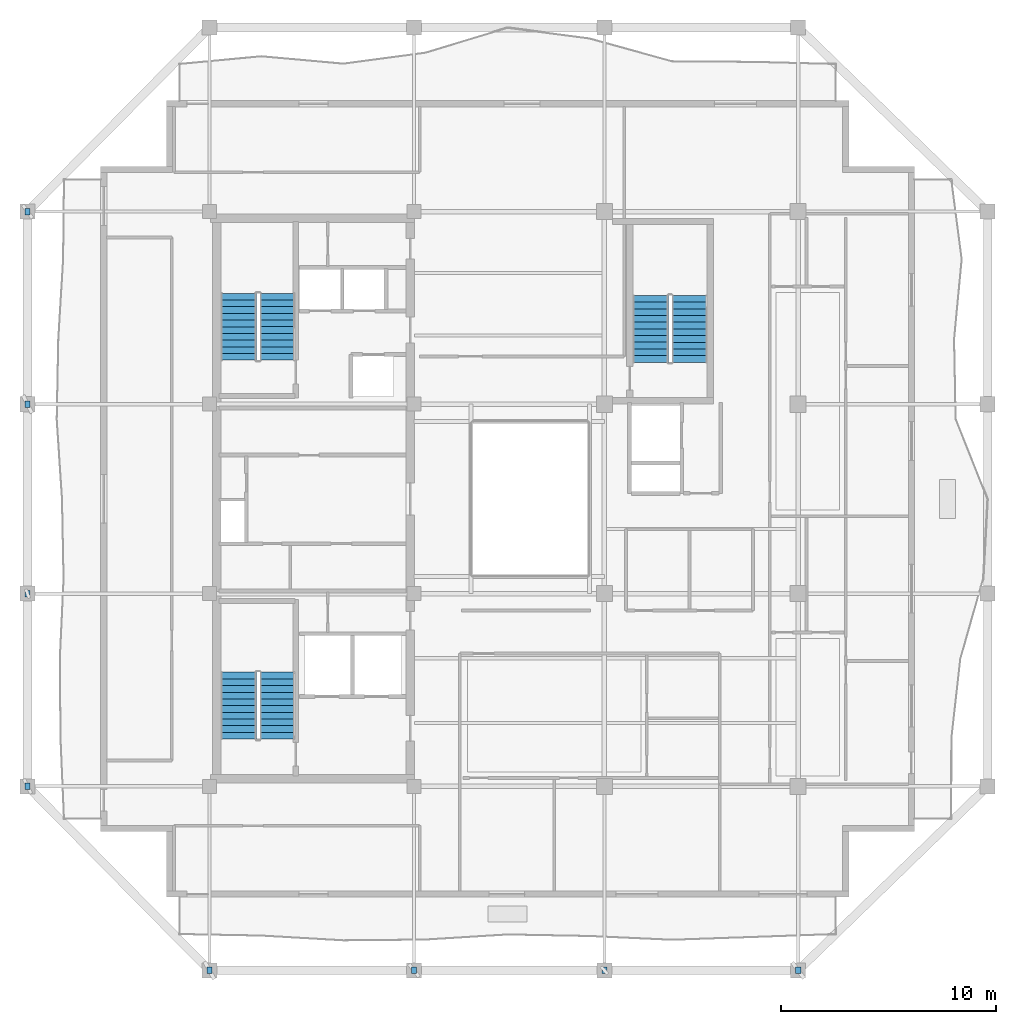
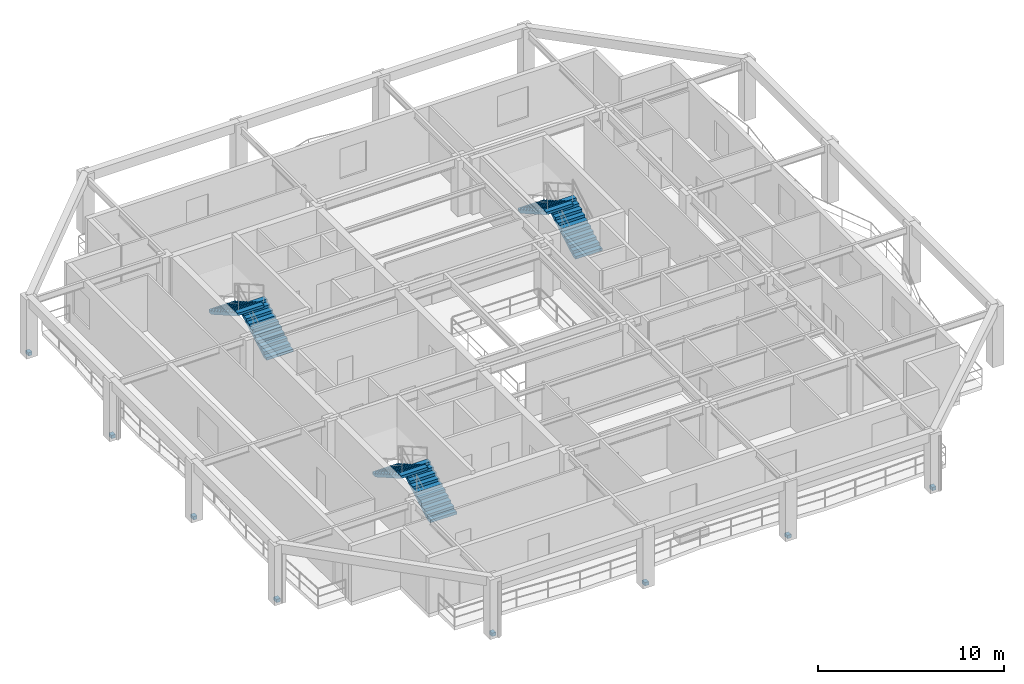
# One storey, part 6 of 10: 8 discrete accessories, 6 stair flights, 3 elements without a shape of their own.
"""IFC4 building model written with IfcOpenShell, lengths in metres."""

from ifc_helpers import new_model, si_unit, direction, frame, origin, origin_2d, place, context, subcontext, project, spatial, polyline, rectangle, outline, extrude, material, type_object, element, aggregate, save


model = new_model("IFC4")

# Units and contexts
model_context = context("Model", 3, precision=1e-05, world=origin(), true_north=direction((0.0, 1.0)))
body_context = subcontext(model_context, "Body", "Model", "MODEL_VIEW")
ifc_project = project(units=[si_unit("LENGTHUNIT", "METRE"), si_unit("AREAUNIT", "SQUARE_METRE"), si_unit("VOLUMEUNIT", "CUBIC_METRE"), si_unit("PLANEANGLEUNIT", "RADIAN"), si_unit("MASSUNIT", "GRAM", prefix="KILO")], contexts=[model_context])

# Site, building, storey
site_placement = place(None, origin())
site = spatial("IfcSite", under=ifc_project, at=site_placement, CompositionType="ELEMENT")
building_placement = place(site_placement, origin())
building = spatial("IfcBuilding", under=site, at=building_placement, Name="Kundavana Baori Tower", CompositionType="ELEMENT")
storey_placement = place(building_placement, frame((0.0, 0.0, 276.5)))
storey = spatial("IfcBuildingStorey", under=building, at=storey_placement, Name="L68", CompositionType="ELEMENT", Elevation=276.5)

# Stair, stair flights
ifc_material_1 = material(Name="Concrete C40/50", Category="concrete")
stair_type = type_object("IfcStairType", Name="STR-DOG-1650", PredefinedType="HALF_TURN_STAIR", material=ifc_material_1)
stair_1_placement = place(storey_placement, origin())
stair_1 = element("IfcStair", 1, at=stair_1_placement, inside=storey, type_object=stair_type, Name="L68 Protected Exit Stair ST1", PredefinedType="HALF_TURN_STAIR")
ifc_material_2 = material(Name="Concrete C40/50", Category="concrete")
stair_flight_type = type_object("IfcStairFlightType", Name="SFL-RC-1650", PredefinedType="STRAIGHT", material=ifc_material_2)
stair_flight_1_placement = place(storey_placement, frame((18.614990234375, 17.449951171875, 0.0), z_axis=(0.0, 0.0, 1.0), x_axis=(0.0, 1.0, 0.0)))
stair_flight_1 = element("IfcStairFlight", 2, at=stair_flight_1_placement, type_object=stair_flight_type, Name="ST1 flight 1", NumberOfRisers=11, NumberOfTreads=10, PredefinedType="STRAIGHT", RiserHeight=0.177272727, TreadLength=0.31, context=body_context, shape_type="SweptSolid", body=[
    extrude(outline(polyline([(0.0, 0.0), (0.0, 0.17724609375), (0.31005859375, 0.17724609375), (0.31005859375, 0.3544921875), (0.6201171875, 0.3544921875), (0.6201171875, 0.53173828125), (0.929931640625, 0.53173828125), (0.929931640625, 0.708984375), (1.239990234375, 0.708984375), (1.239990234375, 0.886474609375), (1.550048828125, 0.886474609375), (1.550048828125, 1.063720703125), (1.860107421875, 1.063720703125), (1.860107421875, 1.240966796875), (2.169921875, 1.240966796875), (2.169921875, 1.418212890625), (2.47998046875, 1.418212890625), (2.47998046875, 1.595458984375), (2.7900390625, 1.595458984375), (2.7900390625, 1.772705078125), (3.10009765625, 1.772705078125), (3.10009765625, 1.949951171875), (3.10009765625, 1.60009765625), (0.302001953125, 0.0), (0.0, 0.0)])), frame((0.0, 0.824951171875, 0.0), z_axis=(0.0, -1.0, 0.0), x_axis=(1.0, 0.0, 0.0)), (0.0, 0.0, 1.0), 1.64990234375),
])
stair_flight_2_placement = place(storey_placement, frame((16.804931640625, 20.550048828125, 1.949951171875), z_axis=(0.0, 0.0, 1.0), x_axis=(0.0, -1.0, 0.0)))
stair_flight_2 = element("IfcStairFlight", 3, at=stair_flight_2_placement, type_object=stair_flight_type, Name="ST1 flight 2", NumberOfRisers=11, NumberOfTreads=10, PredefinedType="STRAIGHT", RiserHeight=0.177272727, TreadLength=0.31, context=body_context, shape_type="SweptSolid", body=[
    extrude(outline(polyline([(0.0, 0.0), (0.0, 0.17724609375), (0.31005859375, 0.17724609375), (0.31005859375, 0.3544921875), (0.6201171875, 0.3544921875), (0.6201171875, 0.53173828125), (0.929931640625, 0.53173828125), (0.929931640625, 0.708984375), (1.239990234375, 0.708984375), (1.239990234375, 0.886474609375), (1.550048828125, 0.886474609375), (1.550048828125, 1.063720703125), (1.860107421875, 1.063720703125), (1.860107421875, 1.240966796875), (2.169921875, 1.240966796875), (2.169921875, 1.418212890625), (2.47998046875, 1.418212890625), (2.47998046875, 1.595458984375), (2.7900390625, 1.595458984375), (2.7900390625, 1.772705078125), (3.10009765625, 1.772705078125), (3.10009765625, 1.949951171875), (3.10009765625, 1.60009765625), (0.302001953125, 0.0), (0.0, 0.0)])), frame((0.0, 0.824951171875, 0.0), z_axis=(0.0, -1.0, 0.0), x_axis=(1.0, 0.0, 0.0)), (0.0, 0.0, 1.0), 1.64990234375),
])
aggregate(stair_1, [stair_flight_1, stair_flight_2])

stair_2_placement = place(storey_placement, origin())
stair_2 = element("IfcStair", 4, at=stair_2_placement, inside=storey, type_object=stair_type, Name="L68 Protected Exit Stair ST2", PredefinedType="HALF_TURN_STAIR")
stair_flight_3_placement = place(storey_placement, frame((18.614990234375, 35.050048828125, 0.0), z_axis=(0.0, 0.0, 1.0), x_axis=(0.0, 1.0, 0.0)))
stair_flight_3 = element("IfcStairFlight", 5, at=stair_flight_3_placement, type_object=stair_flight_type, Name="ST2 flight 1", NumberOfRisers=11, NumberOfTreads=10, PredefinedType="STRAIGHT", RiserHeight=0.177272727, TreadLength=0.31, context=body_context, shape_type="SweptSolid", body=[
    extrude(outline(polyline([(0.0, 0.0), (0.0, 0.17724609375), (0.31005859375, 0.17724609375), (0.31005859375, 0.3544921875), (0.6201171875, 0.3544921875), (0.6201171875, 0.53173828125), (0.929931640625, 0.53173828125), (0.929931640625, 0.708984375), (1.239990234375, 0.708984375), (1.239990234375, 0.886474609375), (1.550048828125, 0.886474609375), (1.550048828125, 1.063720703125), (1.860107421875, 1.063720703125), (1.860107421875, 1.240966796875), (2.169921875, 1.240966796875), (2.169921875, 1.418212890625), (2.47998046875, 1.418212890625), (2.47998046875, 1.595458984375), (2.7900390625, 1.595458984375), (2.7900390625, 1.772705078125), (3.10009765625, 1.772705078125), (3.10009765625, 1.949951171875), (3.10009765625, 1.60009765625), (0.302001953125, 0.0), (0.0, 0.0)])), frame((0.0, 0.824951171875, 0.0), z_axis=(0.0, -1.0, 0.0), x_axis=(1.0, 0.0, 0.0)), (0.0, 0.0, 1.0), 1.64990234375),
])
stair_flight_4_placement = place(storey_placement, frame((16.804931640625, 38.14990234375, 1.949951171875), z_axis=(0.0, 0.0, 1.0), x_axis=(0.0, -1.0, 0.0)))
stair_flight_4 = element("IfcStairFlight", 6, at=stair_flight_4_placement, type_object=stair_flight_type, Name="ST2 flight 2", NumberOfRisers=11, NumberOfTreads=10, PredefinedType="STRAIGHT", RiserHeight=0.177272727, TreadLength=0.31, context=body_context, shape_type="SweptSolid", body=[
    extrude(outline(polyline([(0.0, 0.0), (0.0, 0.17724609375), (0.31005859375, 0.17724609375), (0.31005859375, 0.3544921875), (0.6201171875, 0.3544921875), (0.6201171875, 0.53173828125), (0.929931640625, 0.53173828125), (0.929931640625, 0.708984375), (1.239990234375, 0.708984375), (1.239990234375, 0.886474609375), (1.550048828125, 0.886474609375), (1.550048828125, 1.063720703125), (1.860107421875, 1.063720703125), (1.860107421875, 1.240966796875), (2.169921875, 1.240966796875), (2.169921875, 1.418212890625), (2.47998046875, 1.418212890625), (2.47998046875, 1.595458984375), (2.7900390625, 1.595458984375), (2.7900390625, 1.772705078125), (3.10009765625, 1.772705078125), (3.10009765625, 1.949951171875), (3.10009765625, 1.60009765625), (0.302001953125, 0.0), (0.0, 0.0)])), frame((0.0, 0.824951171875, 0.0), z_axis=(0.0, -1.0, 0.0), x_axis=(1.0, 0.0, 0.0)), (0.0, 0.0, 1.0), 1.64990234375),
])
aggregate(stair_2, [stair_flight_3, stair_flight_4])

stair_3_placement = place(storey_placement, origin())
stair_3 = element("IfcStair", 7, at=stair_3_placement, inside=storey, type_object=stair_type, Name="L68 Protected Exit Stair ST3", PredefinedType="HALF_TURN_STAIR")
stair_flight_5_placement = place(storey_placement, frame((37.7548828125, 34.949951171875, 0.0), z_axis=(0.0, 0.0, 1.0), x_axis=(0.0, 1.0, 0.0)))
stair_flight_5 = element("IfcStairFlight", 8, at=stair_flight_5_placement, type_object=stair_flight_type, Name="ST3 flight 1", NumberOfRisers=11, NumberOfTreads=10, PredefinedType="STRAIGHT", RiserHeight=0.177272727, TreadLength=0.31, context=body_context, shape_type="SweptSolid", body=[
    extrude(outline(polyline([(0.0, 0.0), (0.0, 0.17724609375), (0.31005859375, 0.17724609375), (0.31005859375, 0.3544921875), (0.6201171875, 0.3544921875), (0.6201171875, 0.53173828125), (0.929931640625, 0.53173828125), (0.929931640625, 0.708984375), (1.239990234375, 0.708984375), (1.239990234375, 0.886474609375), (1.550048828125, 0.886474609375), (1.550048828125, 1.063720703125), (1.860107421875, 1.063720703125), (1.860107421875, 1.240966796875), (2.169921875, 1.240966796875), (2.169921875, 1.418212890625), (2.47998046875, 1.418212890625), (2.47998046875, 1.595458984375), (2.7900390625, 1.595458984375), (2.7900390625, 1.772705078125), (3.10009765625, 1.772705078125), (3.10009765625, 1.949951171875), (3.10009765625, 1.60009765625), (0.302001953125, 0.0), (0.0, 0.0)])), frame((0.0, 0.824951171875, 0.0), z_axis=(0.0, -1.0, 0.0), x_axis=(1.0, 0.0, 0.0)), (0.0, 0.0, 1.0), 1.64990234375),
])
stair_flight_6_placement = place(storey_placement, frame((35.945068359375, 38.050048828125, 1.949951171875), z_axis=(0.0, 0.0, 1.0), x_axis=(0.0, -1.0, 0.0)))
stair_flight_6 = element("IfcStairFlight", 9, at=stair_flight_6_placement, type_object=stair_flight_type, Name="ST3 flight 2", NumberOfRisers=11, NumberOfTreads=10, PredefinedType="STRAIGHT", RiserHeight=0.177272727, TreadLength=0.31, context=body_context, shape_type="SweptSolid", body=[
    extrude(outline(polyline([(0.0, 0.0), (0.0, 0.17724609375), (0.31005859375, 0.17724609375), (0.31005859375, 0.3544921875), (0.6201171875, 0.3544921875), (0.6201171875, 0.53173828125), (0.929931640625, 0.53173828125), (0.929931640625, 0.708984375), (1.239990234375, 0.708984375), (1.239990234375, 0.886474609375), (1.550048828125, 0.886474609375), (1.550048828125, 1.063720703125), (1.860107421875, 1.063720703125), (1.860107421875, 1.240966796875), (2.169921875, 1.240966796875), (2.169921875, 1.418212890625), (2.47998046875, 1.418212890625), (2.47998046875, 1.595458984375), (2.7900390625, 1.595458984375), (2.7900390625, 1.772705078125), (3.10009765625, 1.772705078125), (3.10009765625, 1.949951171875), (3.10009765625, 1.60009765625), (0.302001953125, 0.0), (0.0, 0.0)])), frame((0.0, 0.824951171875, 0.0), z_axis=(0.0, -1.0, 0.0), x_axis=(1.0, 0.0, 0.0)), (0.0, 0.0, 1.0), 1.64990234375),
])
aggregate(stair_3, [stair_flight_5, stair_flight_6])

# Discrete accessories
ifc_material_3 = material(Name="Structural Steel S355JR", Category="steel")
discrete_accessory_type = type_object("IfcDiscreteAccessoryType", Name="ACC-BRK-FIN", PredefinedType="BRACKET", material=ifc_material_3)
for number, where, z_axis, x_axis, name in (
    (10, (15.449951171875, 6.699951171875, 0.0), (0.0, 0.0, 1.0), (1.0, 0.0, 0.0), "L68 Stainless Fin Anchor Bracket 1"),
    (11, (24.949951171875, 6.699951171875, 0.0), (0.0, 0.0, 1.0), (1.0, 0.0, 0.0), "L68 Stainless Fin Anchor Bracket 2"),
    (12, (33.800048828125, 6.699951171875, 0.0), (0.0, 0.0, 1.0), (1.0, 0.0, 0.0), "L68 Stainless Fin Anchor Bracket 3"),
    (13, (42.800048828125, 6.699951171875, 0.0), (0.0, 0.0, 1.0), (1.0, 0.0, 0.0), "L68 Stainless Fin Anchor Bracket 4"),
    (14, (7.0, 15.25, 0.0), (0.0, 0.0, 1.0), (1.0, 0.0, 0.0), "L68 Stainless Fin Anchor Bracket 5"),
    (15, (7.0, 24.199951171875, 0.0), (0.0, 0.0, 1.0), (1.0, 0.0, 0.0), "L68 Stainless Fin Anchor Bracket 6"),
    (16, (7.0, 33.0, 0.0), (0.0, 0.0, 1.0), (1.0, 0.0, 0.0), "L68 Stainless Fin Anchor Bracket 7"),
    (17, (7.0, 41.949951171875, 0.0), (0.0, 0.0, 1.0), (1.0, 0.0, 0.0), "L68 Stainless Fin Anchor Bracket 8"),
):
    element("IfcDiscreteAccessory", number, at=place(storey_placement, frame(where, z_axis=z_axis, x_axis=x_axis)), inside=storey, type_object=discrete_accessory_type, Name=name, PredefinedType="BRACKET", context=body_context, shape_type="SweptSolid", body=[
        extrude(rectangle(XDim=0.239990234375, YDim=0.300048828125, at=origin_2d()), origin(), (0.0, 0.0, 1.0), 0.219970703125),
    ])

save(model, "model.ifc")
